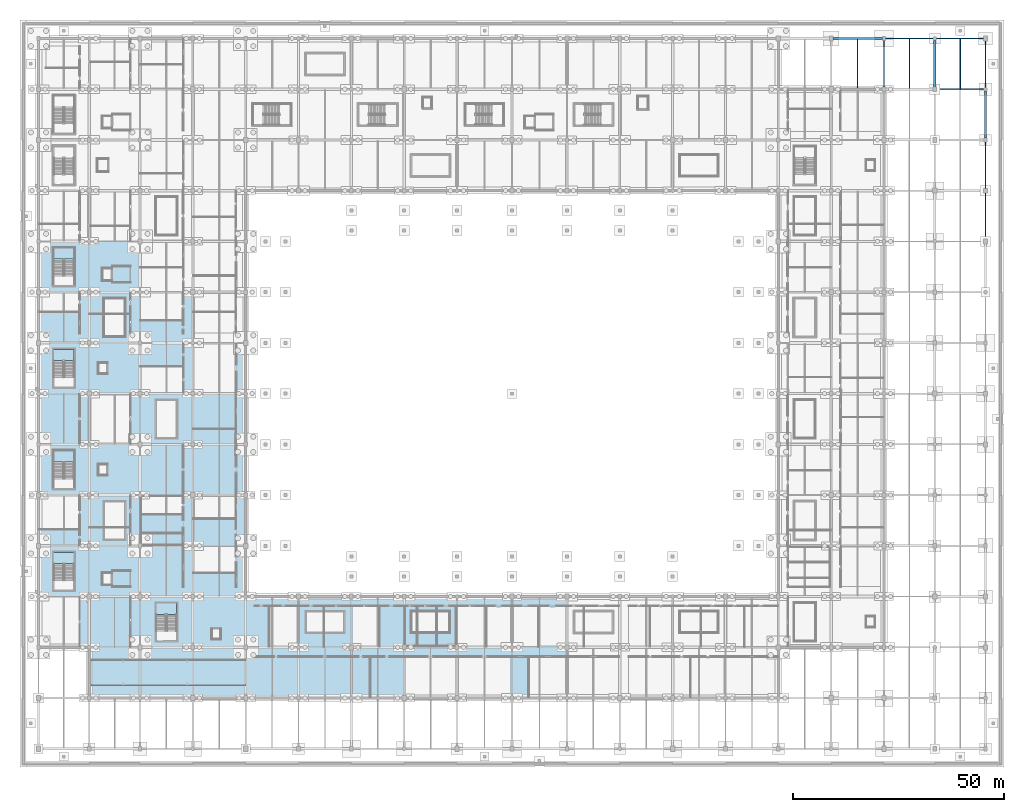
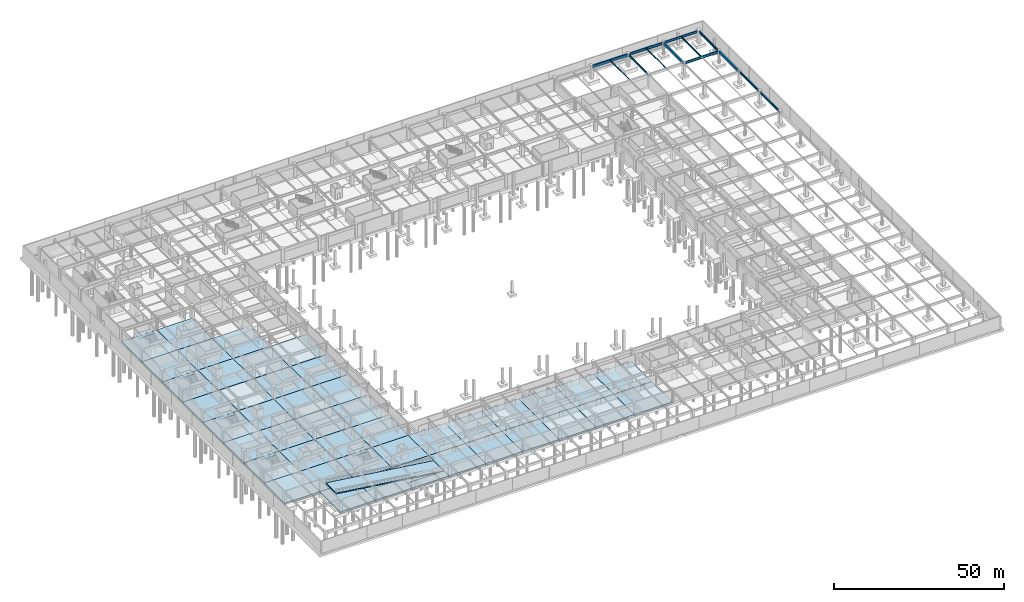
# One storey, part 20 of 56: 52 slabs, 13 beams, 5 elements without a shape of their own.
"""IFC4 building model written with IfcOpenShell, lengths in metres."""

from ifc_helpers import new_model, si_unit, direction, frame, origin, origin_2d, place, context, subcontext, project, spatial, polyline, rectangle, i_section, outline, extrude, material, layer, layer_set, material_profile, profile_set, type_object, element, aggregate, save


model = new_model("IFC4")

# Units and contexts
model_context = context("Model", 3, precision=1e-05, world=origin(), true_north=direction((0.0, 1.0)))
body_context = subcontext(model_context, "Body", "Model", "MODEL_VIEW")
ifc_project = project(units=[si_unit("LENGTHUNIT", "METRE"), si_unit("AREAUNIT", "SQUARE_METRE"), si_unit("VOLUMEUNIT", "CUBIC_METRE"), si_unit("PLANEANGLEUNIT", "RADIAN"), si_unit("MASSUNIT", "GRAM", prefix="KILO")], contexts=[model_context])

# Site, building, storey
site_placement = place(None, origin())
site = spatial("IfcSite", under=ifc_project, at=site_placement, CompositionType="ELEMENT")
building_placement = place(site_placement, origin())
building = spatial("IfcBuilding", under=site, at=building_placement, Name="Kazenohara Klinker Stadium", CompositionType="ELEMENT")
storey_placement = place(building_placement, frame((0.0, 0.0, -4.800048828125)))
storey = spatial("IfcBuildingStorey", under=building, at=storey_placement, Name="B01", CompositionType="ELEMENT", Elevation=-4.800048828125)

# Beams
ifc_material_1 = material(Name="Steel S355", Category="steel")
ifc_material_profile_1 = material_profile(ifc_material_1, i_section(OverallWidth=0.199951171875, OverallDepth=0.5, WebThickness=0.010009765625, FlangeThickness=0.01611328125, FilletRadius=0.012939453125, at=origin_2d()), Name="H-500x200x10x16")
ifc_profile_set_1 = profile_set([ifc_material_profile_1], Name="Steel S355")
beam_type_1 = type_object("IfcBeamType", Name="BM-JST01", PredefinedType="JOIST", material=ifc_profile_set_1)
beam_1_placement = place(storey_placement, frame((218.0, 156.14990234375, 4.2099609375), z_axis=(0.0, 1.0, 0.0), x_axis=(-1.0, 0.0, 0.0)))
element("IfcBeam", 1, at=beam_1_placement, inside=storey, type_object=beam_type_1, Name="Secondary floor joist SJ01 B01 18/P", PredefinedType="JOIST", context=body_context, shape_type="SweptSolid", body=[
    extrude(i_section(OverallWidth=0.199951171875, OverallDepth=0.5, WebThickness=0.010009765625, FlangeThickness=0.01611328125, FilletRadius=0.012939453125, at=origin_2d()), origin(), (0.0, 0.0, 1.0), 11.7001953125),
])
ifc_material_profile_2 = material_profile(ifc_material_1, i_section(OverallWidth=0.175048828125, OverallDepth=0.35009765625, WebThickness=0.007080078125, FlangeThickness=0.010986328125, FilletRadius=0.012939453125, at=origin_2d()), Name="H-350x175x7x11")
ifc_profile_set_2 = profile_set([ifc_material_profile_2], Name="Steel S355")
beam_type_2 = type_object("IfcBeamType", Name="BM-JST04", PredefinedType="JOIST", material=ifc_profile_set_2)
beam_2_placement = place(storey_placement, frame((193.75, 156.300048828125, 4.28515625), z_axis=(0.0, 1.0, 0.0), x_axis=(-1.0, 0.0, 0.0)))
element("IfcBeam", 2, at=beam_2_placement, inside=storey, type_object=beam_type_2, Name="Secondary floor joist SJ04 B01 16/P", PredefinedType="JOIST", context=body_context, shape_type="SweptSolid", body=[
    extrude(i_section(OverallWidth=0.175048828125, OverallDepth=0.35009765625, WebThickness=0.007080078125, FlangeThickness=0.010986328125, FilletRadius=0.012939453125, at=origin_2d()), origin(), (0.0, 0.0, 1.0), 11.449951171875),
])
ifc_material_profile_3 = material_profile(ifc_material_1, i_section(OverallWidth=0.14990234375, OverallDepth=0.300048828125, WebThickness=0.006591796875, FlangeThickness=0.009033203125, FilletRadius=0.012939453125, at=origin_2d()), Name="H-300x150x6.5x9")
ifc_profile_set_3 = profile_set([ifc_material_profile_3], Name="Steel S355")
beam_type_3 = type_object("IfcBeamType", Name="BM-JST05", PredefinedType="JOIST", material=ifc_profile_set_3)
beam_3_placement = place(storey_placement, frame((206.0, 156.25, 4.31005859375), z_axis=(0.0, 1.0, 0.0), x_axis=(-1.0, 0.0, 0.0)))
element("IfcBeam", 3, at=beam_3_placement, inside=storey, type_object=beam_type_3, Name="Secondary floor joist SJ05 B01 17/P", PredefinedType="JOIST", context=body_context, shape_type="SweptSolid", body=[
    extrude(i_section(OverallWidth=0.14990234375, OverallDepth=0.300048828125, WebThickness=0.006591796875, FlangeThickness=0.009033203125, FilletRadius=0.012939453125, at=origin_2d()), origin(), (0.0, 0.0, 1.0), 11.60009765625),
])
ifc_material_2 = material(Name="Concrete C40/50", Category="concrete")
ifc_material_profile_4 = material_profile(ifc_material_2, rectangle(XDim=0.5, YDim=0.89990234375, at=origin_2d()), Name="RC-BM-500x900")
ifc_profile_set_4 = profile_set([ifc_material_profile_4], Name="Concrete C40/50")
beam_type_4 = type_object("IfcBeamType", Name="BM-RC02", PredefinedType="BEAM", material=ifc_profile_set_4)
beam_4_placement = place(storey_placement, frame((187.919921875, 168.0, 4.010009765625), z_axis=(1.0, 0.0, 0.0), x_axis=(0.0, 1.0, 0.0)))
element("IfcBeam", 4, at=beam_4_placement, inside=storey, type_object=beam_type_4, Name="Primary girder BG02 B01 16-17/Q", PredefinedType="BEAM", context=body_context, shape_type="SweptSolid", body=[
    extrude(rectangle(XDim=0.5, YDim=0.89990234375, at=origin_2d()), origin(), (0.0, 0.0, 1.0), 11.68017578125),
])
for number, where, z_axis, x_axis, name in (
    (5, (212.0, 156.419921875, 4.010009765625), (0.0, 1.0, 0.0), (-1.0, 0.0, 0.0), "Primary girder BG02 B01 18/P-Q"),
    (6, (224.0, 144.419921875, 4.010009765625), (0.0, 1.0, 0.0), (-1.0, 0.0, 0.0), "Primary girder BG02 B01 19/N-P"),
):
    element("IfcBeam", number, at=place(storey_placement, frame(where, z_axis=z_axis, x_axis=x_axis)), inside=storey, type_object=beam_type_4, Name=name, PredefinedType="BEAM", context=body_context, shape_type="SweptSolid", body=[
        extrude(rectangle(XDim=0.5, YDim=0.89990234375, at=origin_2d()), origin(), (0.0, 0.0, 1.0), 11.16015625),
    ])
ifc_material_profile_5 = material_profile(ifc_material_1, i_section(OverallWidth=0.300048828125, OverallDepth=0.89990234375, WebThickness=0.01611328125, FlangeThickness=0.028076171875, FilletRadius=0.02197265625, at=origin_2d()), Name="H-900x300x16x28")
ifc_profile_set_5 = profile_set([ifc_material_profile_5], Name="Steel S355")
beam_type_5 = type_object("IfcBeamType", Name="BM-ST01", PredefinedType="BEAM", material=ifc_profile_set_5)
for number, where, z_axis, x_axis, name in (
    (7, (200.39990234375, 168.0, 4.010009765625), (1.0, 0.0, 0.0), (0.0, 1.0, 0.0), "Primary girder SB01 B01 17-18/Q"),
    (8, (212.39990234375, 156.0, 4.010009765625), (1.0, 0.0, 0.0), (0.0, 1.0, 0.0), "Primary girder SB01 B01 18-19/P"),
):
    element("IfcBeam", number, at=place(storey_placement, frame(where, z_axis=z_axis, x_axis=x_axis)), inside=storey, type_object=beam_type_5, Name=name, PredefinedType="BEAM", context=body_context, shape_type="SweptSolid", body=[
        extrude(i_section(OverallWidth=0.300048828125, OverallDepth=0.89990234375, WebThickness=0.01611328125, FlangeThickness=0.028076171875, FilletRadius=0.02197265625, at=origin_2d()), origin(), (0.0, 0.0, 1.0), 11.18017578125),
    ])
ifc_material_profile_6 = material_profile(ifc_material_1, i_section(OverallWidth=0.300048828125, OverallDepth=0.800048828125, WebThickness=0.013916015625, FlangeThickness=0.02587890625, FilletRadius=0.02197265625, at=origin_2d()), Name="H-800x300x14x26")
ifc_profile_set_6 = profile_set([ifc_material_profile_6], Name="Steel S355")
beam_type_6 = type_object("IfcBeamType", Name="BM-ST02", PredefinedType="BEAM", material=ifc_profile_set_6)
for number, where, z_axis, x_axis, name in (
    (9, (212.419921875, 168.0, 4.06005859375), (1.0, 0.0, 0.0), (0.0, 1.0, 0.0), "Primary girder SB02 B01 18-19/Q"),
    (10, (224.0, 120.419921875, 4.06005859375), (0.0, 1.0, 0.0), (-1.0, 0.0, 0.0), "Primary girder SB02 B01 19/L-M"),
    (11, (224.0, 156.419921875, 4.06005859375), (0.0, 1.0, 0.0), (-1.0, 0.0, 0.0), "Primary girder SB02 B01 19/P-Q"),
):
    element("IfcBeam", number, at=place(storey_placement, frame(where, z_axis=z_axis, x_axis=x_axis)), inside=storey, type_object=beam_type_6, Name=name, PredefinedType="BEAM", context=body_context, shape_type="SweptSolid", body=[
        extrude(i_section(OverallWidth=0.300048828125, OverallDepth=0.800048828125, WebThickness=0.013916015625, FlangeThickness=0.02587890625, FilletRadius=0.02197265625, at=origin_2d()), origin(), (0.0, 0.0, 1.0), 11.16015625),
    ])
ifc_material_profile_7 = material_profile(ifc_material_1, i_section(OverallWidth=0.300048828125, OverallDepth=0.699951171875, WebThickness=0.012939453125, FlangeThickness=0.02392578125, FilletRadius=0.02197265625, at=origin_2d()), Name="H-700x300x13x24")
ifc_profile_set_7 = profile_set([ifc_material_profile_7], Name="Steel S355")
beam_type_7 = type_object("IfcBeamType", Name="BM-ST03", PredefinedType="BEAM", material=ifc_profile_set_7)
for number, where, z_axis, x_axis, name in (
    (12, (200.0, 156.419921875, 4.110107421875), (0.0, 1.0, 0.0), (-1.0, 0.0, 0.0), "Primary girder SB03 B01 17/P-Q"),
    (13, (224.0, 132.419921875, 4.110107421875), (0.0, 1.0, 0.0), (-1.0, 0.0, 0.0), "Primary girder SB03 B01 19/M-N"),
):
    element("IfcBeam", number, at=place(storey_placement, frame(where, z_axis=z_axis, x_axis=x_axis)), inside=storey, type_object=beam_type_7, Name=name, PredefinedType="BEAM", context=body_context, shape_type="SweptSolid", body=[
        extrude(i_section(OverallWidth=0.300048828125, OverallDepth=0.699951171875, WebThickness=0.012939453125, FlangeThickness=0.02392578125, FilletRadius=0.02197265625, at=origin_2d()), origin(), (0.0, 0.0, 1.0), 11.16015625),
    ])

# Slabs
ifc_material_3 = material(Name="Concrete C35/45", Category="concrete")
ifc_layer_1 = layer(ifc_material_3, 0.580078125)
ifc_layer_set_1 = layer_set([ifc_layer_1], Name="Concrete C35/45")
slab_type_1 = type_object("IfcSlabType", Name="SLB-BASE-580", PredefinedType="BASESLAB", material=ifc_layer_set_1)
slab_1_placement = place(storey_placement, frame((0.0, 0.0, -0.579833984375)))
element("IfcSlab", 14, at=slab_1_placement, inside=storey, type_object=slab_type_1, Name="Basement base slab BS02 1/D", PredefinedType="BASESLAB", context=body_context, shape_type="SweptSolid", body=[
    extrude(outline(polyline([(0.0, 36.0), (12.0, 36.0), (12.0, 48.0), (0.0, 48.0), (0.0, 36.0)])), origin(), (0.0, 0.0, 1.0), 0.579833984375),
])
slab_2_placement = place(storey_placement, frame((0.0, 0.0, -0.579833984375)))
element("IfcSlab", 15, at=slab_2_placement, inside=storey, type_object=slab_type_1, Name="Basement base slab BS02 1/F", PredefinedType="BASESLAB", context=body_context, shape_type="SweptSolid", body=[
    extrude(outline(polyline([(0.0, 60.0), (12.0, 60.0), (12.0, 72.0), (0.0, 72.0), (0.0, 60.0)])), origin(), (0.0, 0.0, 1.0), 0.579833984375),
])
slab_3_placement = place(storey_placement, frame((0.0, 0.0, -0.579833984375)))
element("IfcSlab", 16, at=slab_3_placement, inside=storey, type_object=slab_type_1, Name="Basement base slab BS02 1/H", PredefinedType="BASESLAB", context=body_context, shape_type="SweptSolid", body=[
    extrude(outline(polyline([(0.0, 84.0), (12.0, 84.0), (12.0, 96.0), (0.0, 96.0), (0.0, 84.0)])), origin(), (0.0, 0.0, 1.0), 0.579833984375),
])
slab_4_placement = place(storey_placement, frame((0.0, 0.0, -0.579833984375)))
element("IfcSlab", 17, at=slab_4_placement, inside=storey, type_object=slab_type_1, Name="Basement base slab BS02 1/K", PredefinedType="BASESLAB", context=body_context, shape_type="SweptSolid", body=[
    extrude(outline(polyline([(0.0, 108.0), (12.0, 108.0), (12.0, 120.0), (0.0, 120.0), (0.0, 108.0)])), origin(), (0.0, 0.0, 1.0), 0.579833984375),
])
slab_5_placement = place(storey_placement, frame((0.0, 0.0, -0.579833984375)))
element("IfcSlab", 18, at=slab_5_placement, inside=storey, type_object=slab_type_1, Name="Basement base slab BS02 2/C", PredefinedType="BASESLAB", context=body_context, shape_type="SweptSolid", body=[
    extrude(outline(polyline([(12.0, 24.0), (24.0, 24.0), (24.0, 36.0), (12.0, 36.0), (12.0, 24.0)])), origin(), (0.0, 0.0, 1.0), 0.579833984375),
])
slab_6_placement = place(storey_placement, frame((0.0, 0.0, -0.579833984375)))
element("IfcSlab", 19, at=slab_6_placement, inside=storey, type_object=slab_type_1, Name="Basement base slab BS02 2/E", PredefinedType="BASESLAB", context=body_context, shape_type="SweptSolid", body=[
    extrude(outline(polyline([(12.0, 48.0), (24.0, 48.0), (24.0, 60.0), (12.0, 60.0), (12.0, 48.0)])), origin(), (0.0, 0.0, 1.0), 0.579833984375),
])
slab_7_placement = place(storey_placement, frame((0.0, 0.0, -0.579833984375)))
element("IfcSlab", 20, at=slab_7_placement, inside=storey, type_object=slab_type_1, Name="Basement base slab BS02 2/G", PredefinedType="BASESLAB", context=body_context, shape_type="SweptSolid", body=[
    extrude(outline(polyline([(12.0, 72.0), (24.0, 72.0), (24.0, 84.0), (12.0, 84.0), (12.0, 72.0)])), origin(), (0.0, 0.0, 1.0), 0.579833984375),
])
slab_8_placement = place(storey_placement, frame((0.0, 0.0, -0.579833984375)))
element("IfcSlab", 21, at=slab_8_placement, inside=storey, type_object=slab_type_1, Name="Basement base slab BS02 2/J", PredefinedType="BASESLAB", context=body_context, shape_type="SweptSolid", body=[
    extrude(outline(polyline([(12.0, 96.0), (24.0, 96.0), (24.0, 108.0), (12.0, 108.0), (12.0, 96.0)])), origin(), (0.0, 0.0, 1.0), 0.579833984375),
])
slab_9_placement = place(storey_placement, frame((0.0, 0.0, -0.579833984375)))
element("IfcSlab", 22, at=slab_9_placement, inside=storey, type_object=slab_type_1, Name="Basement base slab BS02 3/B", PredefinedType="BASESLAB", context=body_context, shape_type="SweptSolid", body=[
    extrude(outline(polyline([(24.0, 12.0), (36.5, 12.0), (36.5, 24.0), (24.0, 24.0), (24.0, 12.0)])), origin(), (0.0, 0.0, 1.0), 0.579833984375),
])
slab_10_placement = place(storey_placement, frame((0.0, 0.0, -0.579833984375)))
element("IfcSlab", 23, at=slab_10_placement, inside=storey, type_object=slab_type_1, Name="Basement base slab BS02 3/D", PredefinedType="BASESLAB", context=body_context, shape_type="SweptSolid", body=[
    extrude(outline(polyline([(24.0, 36.0), (36.5, 36.0), (36.5, 48.0), (24.0, 48.0), (24.0, 36.0)])), origin(), (0.0, 0.0, 1.0), 0.579833984375),
])
slab_11_placement = place(storey_placement, frame((0.0, 0.0, -0.579833984375)))
element("IfcSlab", 24, at=slab_11_placement, inside=storey, type_object=slab_type_1, Name="Basement base slab BS02 3/F", PredefinedType="BASESLAB", context=body_context, shape_type="SweptSolid", body=[
    extrude(outline(polyline([(24.0, 60.0), (36.5, 60.0), (36.5, 72.0), (24.0, 72.0), (24.0, 60.0)])), origin(), (0.0, 0.0, 1.0), 0.579833984375),
])
slab_12_placement = place(storey_placement, frame((0.0, 0.0, -0.579833984375)))
element("IfcSlab", 25, at=slab_12_placement, inside=storey, type_object=slab_type_1, Name="Basement base slab BS02 3/H", PredefinedType="BASESLAB", context=body_context, shape_type="SweptSolid", body=[
    extrude(outline(polyline([(24.0, 84.0), (36.5, 84.0), (36.5, 96.0), (24.0, 96.0), (24.0, 84.0)])), origin(), (0.0, 0.0, 1.0), 0.579833984375),
])
slab_13_placement = place(storey_placement, frame((0.0, 0.0, -0.579833984375)))
element("IfcSlab", 26, at=slab_13_placement, inside=storey, type_object=slab_type_1, Name="Basement base slab BS02 4/C", PredefinedType="BASESLAB", context=body_context, shape_type="SweptSolid", body=[
    extrude(outline(polyline([(36.5, 24.0), (49.0, 24.0), (49.0, 36.0), (36.5, 36.0), (36.5, 24.0)])), origin(), (0.0, 0.0, 1.0), 0.579833984375),
])
slab_14_placement = place(storey_placement, frame((0.0, 0.0, -0.579833984375)))
element("IfcSlab", 27, at=slab_14_placement, inside=storey, type_object=slab_type_1, Name="Basement base slab BS02 4/E", PredefinedType="BASESLAB", context=body_context, shape_type="SweptSolid", body=[
    extrude(outline(polyline([(36.5, 48.0), (49.0, 48.0), (49.0, 60.0), (36.5, 60.0), (36.5, 48.0)])), origin(), (0.0, 0.0, 1.0), 0.579833984375),
])
slab_15_placement = place(storey_placement, frame((0.0, 0.0, -0.579833984375)))
element("IfcSlab", 28, at=slab_15_placement, inside=storey, type_object=slab_type_1, Name="Basement base slab BS02 4/G", PredefinedType="BASESLAB", context=body_context, shape_type="SweptSolid", body=[
    extrude(outline(polyline([(36.5, 72.0), (49.0, 72.0), (49.0, 84.0), (36.5, 84.0), (36.5, 72.0)])), origin(), (0.0, 0.0, 1.0), 0.579833984375),
])
slab_16_placement = place(storey_placement, frame((0.0, 0.0, -0.579833984375)))
element("IfcSlab", 29, at=slab_16_placement, inside=storey, type_object=slab_type_1, Name="Basement base slab BS02 5/B", PredefinedType="BASESLAB", context=body_context, shape_type="SweptSolid", body=[
    extrude(outline(polyline([(49.0, 12.0), (61.5, 12.0), (61.5, 24.0), (49.0, 24.0), (49.0, 12.0)])), origin(), (0.0, 0.0, 1.0), 0.579833984375),
])
slab_17_placement = place(storey_placement, frame((0.0, 0.0, -0.579833984375)))
element("IfcSlab", 30, at=slab_17_placement, inside=storey, type_object=slab_type_1, Name="Basement base slab BS02 6/C", PredefinedType="BASESLAB", context=body_context, shape_type="SweptSolid", body=[
    extrude(outline(polyline([(61.5, 24.0), (74.0, 24.0), (74.0, 36.0), (61.5, 36.0), (61.5, 24.0)])), origin(), (0.0, 0.0, 1.0), 0.579833984375),
])
slab_18_placement = place(storey_placement, frame((0.0, 0.0, -0.579833984375)))
element("IfcSlab", 31, at=slab_18_placement, inside=storey, type_object=slab_type_1, Name="Basement base slab BS02 7/B", PredefinedType="BASESLAB", context=body_context, shape_type="SweptSolid", body=[
    extrude(outline(polyline([(74.0, 12.0), (86.5, 12.0), (86.5, 24.0), (74.0, 24.0), (74.0, 12.0)])), origin(), (0.0, 0.0, 1.0), 0.579833984375),
])
slab_19_placement = place(storey_placement, frame((0.0, 0.0, -0.579833984375)))
element("IfcSlab", 32, at=slab_19_placement, inside=storey, type_object=slab_type_1, Name="Basement base slab BS02 8/C", PredefinedType="BASESLAB", context=body_context, shape_type="SweptSolid", body=[
    extrude(outline(polyline([(86.5, 24.0), (99.0, 24.0), (99.0, 36.0), (86.5, 36.0), (86.5, 24.0)])), origin(), (0.0, 0.0, 1.0), 0.579833984375),
])
slab_20_placement = place(storey_placement, frame((0.0, 0.0, -0.579833984375)))
element("IfcSlab", 33, at=slab_20_placement, inside=storey, type_object=slab_type_1, Name="Basement base slab BS02 9/B", PredefinedType="BASESLAB", context=body_context, shape_type="SweptSolid", body=[
    extrude(outline(polyline([(99.0, 12.0), (112.0, 12.0), (112.0, 24.0), (99.0, 24.0), (99.0, 12.0)])), origin(), (0.0, 0.0, 1.0), 0.579833984375),
])
slab_21_placement = place(storey_placement, frame((0.0, 0.0, -0.579833984375)))
element("IfcSlab", 34, at=slab_21_placement, inside=storey, type_object=slab_type_1, Name="Basement base slab BS02 10/C", PredefinedType="BASESLAB", context=body_context, shape_type="SweptSolid", body=[
    extrude(outline(polyline([(112.0, 24.0), (125.0, 24.0), (125.0, 36.0), (112.0, 36.0), (112.0, 24.0)])), origin(), (0.0, 0.0, 1.0), 0.579833984375),
])
ifc_layer_2 = layer(ifc_material_3, 0.64990234375)
ifc_layer_set_2 = layer_set([ifc_layer_2], Name="Concrete C35/45")
slab_type_2 = type_object("IfcSlabType", Name="SLB-BASE-650", PredefinedType="BASESLAB", material=ifc_layer_set_2)
slab_22_placement = place(storey_placement, frame((0.0, 0.0, -0.64990234375)))
element("IfcSlab", 35, at=slab_22_placement, inside=storey, type_object=slab_type_2, Name="Basement base slab BS01 1/C", PredefinedType="BASESLAB", context=body_context, shape_type="SweptSolid", body=[
    extrude(outline(polyline([(0.0, 24.0), (12.0, 24.0), (12.0, 34.199951171875), (10.199951171875, 36.0), (0.0, 36.0), (0.0, 24.0)])), origin(), (0.0, 0.0, 1.0), 0.64990234375),
])
slab_23_placement = place(storey_placement, frame((0.0, 0.0, -0.64990234375)))
element("IfcSlab", 36, at=slab_23_placement, inside=storey, type_object=slab_type_2, Name="Basement base slab BS01 1/E", PredefinedType="BASESLAB", context=body_context, shape_type="SweptSolid", body=[
    extrude(outline(polyline([(0.0, 48.0), (12.0, 48.0), (12.0, 60.0), (0.0, 60.0), (0.0, 48.0)])), origin(), (0.0, 0.0, 1.0), 0.64990234375),
])
slab_24_placement = place(storey_placement, frame((0.0, 0.0, -0.64990234375)))
element("IfcSlab", 37, at=slab_24_placement, inside=storey, type_object=slab_type_2, Name="Basement base slab BS01 1/G", PredefinedType="BASESLAB", context=body_context, shape_type="SweptSolid", body=[
    extrude(outline(polyline([(0.0, 72.0), (12.0, 72.0), (12.0, 84.0), (0.0, 84.0), (0.0, 72.0)])), origin(), (0.0, 0.0, 1.0), 0.64990234375),
])
slab_25_placement = place(storey_placement, frame((0.0, 0.0, -0.64990234375)))
element("IfcSlab", 38, at=slab_25_placement, inside=storey, type_object=slab_type_2, Name="Basement base slab BS01 1/J", PredefinedType="BASESLAB", context=body_context, shape_type="SweptSolid", body=[
    extrude(outline(polyline([(0.0, 96.0), (12.0, 96.0), (12.0, 108.0), (0.0, 108.0), (0.0, 96.0)])), origin(), (0.0, 0.0, 1.0), 0.64990234375),
])
slab_26_placement = place(storey_placement, frame((0.0, 0.0, -0.64990234375)))
element("IfcSlab", 39, at=slab_26_placement, inside=storey, type_object=slab_type_2, Name="Basement base slab BS01 2/B", PredefinedType="BASESLAB", context=body_context, shape_type="SweptSolid", body=[
    extrude(outline(polyline([(12.0, 12.0), (24.0, 12.0), (24.0, 24.0), (12.0, 24.0), (12.0, 12.0)])), origin(), (0.0, 0.0, 1.0), 0.64990234375),
])
slab_27_placement = place(storey_placement, frame((0.0, 0.0, -0.64990234375)))
element("IfcSlab", 40, at=slab_27_placement, inside=storey, type_object=slab_type_2, Name="Basement base slab BS01 2/D", PredefinedType="BASESLAB", context=body_context, shape_type="SweptSolid", body=[
    extrude(outline(polyline([(12.0, 36.0), (24.0, 36.0), (24.0, 48.0), (12.0, 48.0), (12.0, 36.0)])), origin(), (0.0, 0.0, 1.0), 0.64990234375),
])
slab_28_placement = place(storey_placement, frame((0.0, 0.0, -0.64990234375)))
element("IfcSlab", 41, at=slab_28_placement, inside=storey, type_object=slab_type_2, Name="Basement base slab BS01 2/F", PredefinedType="BASESLAB", context=body_context, shape_type="SweptSolid", body=[
    extrude(outline(polyline([(12.0, 60.0), (24.0, 60.0), (24.0, 72.0), (12.0, 72.0), (12.0, 60.0)])), origin(), (0.0, 0.0, 1.0), 0.64990234375),
])
slab_29_placement = place(storey_placement, frame((0.0, 0.0, -0.64990234375)))
element("IfcSlab", 42, at=slab_29_placement, inside=storey, type_object=slab_type_2, Name="Basement base slab BS01 2/H", PredefinedType="BASESLAB", context=body_context, shape_type="SweptSolid", body=[
    extrude(outline(polyline([(12.0, 84.0), (24.0, 84.0), (24.0, 96.0), (12.0, 96.0), (12.0, 84.0)])), origin(), (0.0, 0.0, 1.0), 0.64990234375),
])
slab_30_placement = place(storey_placement, frame((0.0, 0.0, -0.64990234375)))
element("IfcSlab", 43, at=slab_30_placement, inside=storey, type_object=slab_type_2, Name="Basement base slab BS01 2/K", PredefinedType="BASESLAB", context=body_context, shape_type="SweptSolid", body=[
    extrude(outline(polyline([(12.0, 108.0), (24.0, 108.0), (24.0, 120.0), (12.0, 120.0), (12.0, 108.0)])), origin(), (0.0, 0.0, 1.0), 0.64990234375),
])
slab_31_placement = place(storey_placement, frame((0.0, 0.0, -0.64990234375)))
element("IfcSlab", 44, at=slab_31_placement, inside=storey, type_object=slab_type_2, Name="Basement base slab BS01 3/C", PredefinedType="BASESLAB", context=body_context, shape_type="SweptSolid", body=[
    extrude(outline(polyline([(24.0, 24.0), (36.5, 24.0), (36.5, 36.0), (24.0, 36.0), (24.0, 24.0)])), origin(), (0.0, 0.0, 1.0), 0.64990234375),
])
slab_32_placement = place(storey_placement, frame((0.0, 0.0, -0.64990234375)))
element("IfcSlab", 45, at=slab_32_placement, inside=storey, type_object=slab_type_2, Name="Basement base slab BS01 3/E", PredefinedType="BASESLAB", context=body_context, shape_type="SweptSolid", body=[
    extrude(outline(polyline([(24.0, 48.0), (36.5, 48.0), (36.5, 60.0), (24.0, 60.0), (24.0, 48.0)])), origin(), (0.0, 0.0, 1.0), 0.64990234375),
])
slab_33_placement = place(storey_placement, frame((0.0, 0.0, -0.64990234375)))
element("IfcSlab", 46, at=slab_33_placement, inside=storey, type_object=slab_type_2, Name="Basement base slab BS01 3/G", PredefinedType="BASESLAB", context=body_context, shape_type="SweptSolid", body=[
    extrude(outline(polyline([(24.0, 72.0), (36.5, 72.0), (36.5, 84.0), (24.0, 84.0), (24.0, 72.0)])), origin(), (0.0, 0.0, 1.0), 0.64990234375),
])
slab_34_placement = place(storey_placement, frame((0.0, 0.0, -0.64990234375)))
element("IfcSlab", 47, at=slab_34_placement, inside=storey, type_object=slab_type_2, Name="Basement base slab BS01 3/J", PredefinedType="BASESLAB", context=body_context, shape_type="SweptSolid", body=[
    extrude(outline(polyline([(24.0, 96.0), (36.5, 96.0), (36.5, 108.0), (24.0, 108.0), (24.0, 96.0)])), origin(), (0.0, 0.0, 1.0), 0.64990234375),
])
slab_35_placement = place(storey_placement, frame((0.0, 0.0, -0.64990234375)))
element("IfcSlab", 48, at=slab_35_placement, inside=storey, type_object=slab_type_2, Name="Basement base slab BS01 4/B S", PredefinedType="BASESLAB", context=body_context, shape_type="SweptSolid", body=[
    extrude(outline(polyline([(36.5, 12.0), (49.0, 12.0), (49.0, 14.909912109375), (36.5, 14.909912109375), (36.5, 12.0)])), origin(), (0.0, 0.0, 1.0), 0.64990234375),
])
slab_36_placement = place(storey_placement, frame((0.0, 0.0, -0.949951171875)))
element("IfcSlab", 49, at=slab_36_placement, inside=storey, type_object=slab_type_2, Name="Basement base slab BS01 4/B M", PredefinedType="BASESLAB", context=body_context, shape_type="SweptSolid", body=[
    extrude(outline(polyline([(36.5, 14.929931640625), (49.0, 14.929931640625), (49.0, 21.070068359375), (36.5, 21.070068359375), (36.5, 14.929931640625)])), origin(), (0.0, 0.0, 1.0), 0.64990234375),
])
slab_37_placement = place(storey_placement, frame((0.0, 0.0, -0.64990234375)))
element("IfcSlab", 50, at=slab_37_placement, inside=storey, type_object=slab_type_2, Name="Basement base slab BS01 4/B N", PredefinedType="BASESLAB", context=body_context, shape_type="SweptSolid", body=[
    extrude(outline(polyline([(36.5, 21.090087890625), (49.0, 21.090087890625), (49.0, 24.0), (36.5, 24.0), (36.5, 21.090087890625)])), origin(), (0.0, 0.0, 1.0), 0.64990234375),
])
slab_38_placement = place(storey_placement, frame((0.0, 0.0, -0.64990234375)))
element("IfcSlab", 51, at=slab_38_placement, inside=storey, type_object=slab_type_2, Name="Basement base slab BS01 4/D", PredefinedType="BASESLAB", context=body_context, shape_type="SweptSolid", body=[
    extrude(outline(polyline([(36.5, 36.0), (49.0, 36.0), (49.0, 48.0), (36.5, 48.0), (36.5, 36.0)])), origin(), (0.0, 0.0, 1.0), 0.64990234375),
])
slab_39_placement = place(storey_placement, frame((0.0, 0.0, -0.64990234375)))
element("IfcSlab", 52, at=slab_39_placement, inside=storey, type_object=slab_type_2, Name="Basement base slab BS01 4/F", PredefinedType="BASESLAB", context=body_context, shape_type="SweptSolid", body=[
    extrude(outline(polyline([(36.5, 60.0), (49.0, 60.0), (49.0, 72.0), (36.5, 72.0), (36.5, 60.0)])), origin(), (0.0, 0.0, 1.0), 0.64990234375),
])
slab_40_placement = place(storey_placement, frame((0.0, 0.0, -0.64990234375)))
element("IfcSlab", 53, at=slab_40_placement, inside=storey, type_object=slab_type_2, Name="Basement base slab BS01 4/H", PredefinedType="BASESLAB", context=body_context, shape_type="SweptSolid", body=[
    extrude(outline(polyline([(36.5, 84.0), (49.0, 84.0), (49.0, 96.0), (36.5, 96.0), (36.5, 84.0)])), origin(), (0.0, 0.0, 1.0), 0.64990234375),
])
slab_41_placement = place(storey_placement, frame((0.0, 0.0, -0.64990234375)))
element("IfcSlab", 54, at=slab_41_placement, inside=storey, type_object=slab_type_2, Name="Basement base slab BS01 5/C", PredefinedType="BASESLAB", context=body_context, shape_type="SweptSolid", body=[
    extrude(outline(polyline([(49.0, 24.0), (61.5, 24.0), (61.5, 36.0), (49.0, 36.0), (49.0, 24.0)])), origin(), (0.0, 0.0, 1.0), 0.64990234375),
])
slab_42_placement = place(storey_placement, frame((0.0, 0.0, -0.64990234375)))
element("IfcSlab", 55, at=slab_42_placement, inside=storey, type_object=slab_type_2, Name="Basement base slab BS01 6/B", PredefinedType="BASESLAB", context=body_context, shape_type="SweptSolid", body=[
    extrude(outline(polyline([(61.5, 12.0), (74.0, 12.0), (74.0, 24.0), (61.5, 24.0), (61.5, 12.0)])), origin(), (0.0, 0.0, 1.0), 0.64990234375),
])
slab_43_placement = place(storey_placement, frame((0.0, 0.0, -0.64990234375)))
element("IfcSlab", 56, at=slab_43_placement, inside=storey, type_object=slab_type_2, Name="Basement base slab BS01 7/C", PredefinedType="BASESLAB", context=body_context, shape_type="SweptSolid", body=[
    extrude(outline(polyline([(74.0, 24.0), (86.5, 24.0), (86.5, 36.0), (74.0, 36.0), (74.0, 24.0)])), origin(), (0.0, 0.0, 1.0), 0.64990234375),
])
slab_44_placement = place(storey_placement, frame((0.0, 0.0, -0.64990234375)))
element("IfcSlab", 57, at=slab_44_placement, inside=storey, type_object=slab_type_2, Name="Basement base slab BS01 8/B", PredefinedType="BASESLAB", context=body_context, shape_type="SweptSolid", body=[
    extrude(outline(polyline([(86.5, 12.0), (99.0, 12.0), (99.0, 24.0), (86.5, 24.0), (86.5, 12.0)])), origin(), (0.0, 0.0, 1.0), 0.64990234375),
])
slab_45_placement = place(storey_placement, frame((0.0, 0.0, -0.64990234375)))
element("IfcSlab", 58, at=slab_45_placement, inside=storey, type_object=slab_type_2, Name="Basement base slab BS01 9/C", PredefinedType="BASESLAB", context=body_context, shape_type="SweptSolid", body=[
    extrude(outline(polyline([(99.0, 24.0), (112.0, 24.0), (112.0, 36.0), (99.0, 36.0), (99.0, 24.0)])), origin(), (0.0, 0.0, 1.0), 0.64990234375),
])
slab_46_placement = place(storey_placement, frame((0.0, 0.0, -0.64990234375)))
element("IfcSlab", 59, at=slab_46_placement, inside=storey, type_object=slab_type_2, Name="Basement base slab BS01 10/B", PredefinedType="BASESLAB", context=body_context, shape_type="SweptSolid", body=[
    extrude(outline(polyline([(112.0, 12.0), (125.0, 12.0), (125.0, 24.0), (112.0, 24.0), (112.0, 12.0)])), origin(), (0.0, 0.0, 1.0), 0.64990234375),
])

# Stair, slab
stair_type_1 = type_object("IfcStairType", Name="STR-DL-2300", PredefinedType="HALF_TURN_STAIR", material=ifc_material_2)
stair_1_placement = place(storey_placement, origin())
stair_1 = element("IfcStair", 60, at=stair_1_placement, inside=storey, type_object=stair_type_1, Name="B01 Enclosed escape stair ST01", PredefinedType="HALF_TURN_STAIR")
ifc_layer_3 = layer(ifc_material_2, 0.199951171875)
ifc_layer_set_3 = layer_set([ifc_layer_3], Name="Concrete C40/50")
slab_type_3 = type_object("IfcSlabType", Name="SLB-LND-200", PredefinedType="LANDING", material=ifc_layer_set_3)
slab_47_placement = place(storey_placement, frame((0.0, 0.0, 2.199951171875)))
slab_47 = element("IfcSlab", 61, at=slab_47_placement, type_object=slab_type_3, Name="ST01 landing 1", PredefinedType="LANDING", context=body_context, shape_type="SweptSolid", body=[
    extrude(outline(polyline([(8.39990234375, 43.760009765625), (8.39990234375, 46.4599609375), (3.60009765625, 46.4599609375), (3.60009765625, 43.760009765625), (8.39990234375, 43.760009765625)])), origin(), (0.0, 0.0, 1.0), 0.2001953125),
])
aggregate(stair_1, [slab_47])

stair_type_2 = type_object("IfcStairType", Name="STR-DL-2310", PredefinedType="HALF_TURN_STAIR", material=ifc_material_2)
stair_2_placement = place(storey_placement, origin())
stair_2 = element("IfcStair", 62, at=stair_2_placement, inside=storey, type_object=stair_type_2, Name="B01 Enclosed escape stair ST02", PredefinedType="HALF_TURN_STAIR")
slab_48_placement = place(storey_placement, frame((0.0, 0.0, 2.199951171875)))
slab_48 = element("IfcSlab", 63, at=slab_48_placement, type_object=slab_type_3, Name="ST02 landing 1", PredefinedType="LANDING", context=body_context, shape_type="SweptSolid", body=[
    extrude(outline(polyline([(8.409912109375, 67.77001953125), (8.409912109375, 70.4599609375), (3.590087890625, 70.4599609375), (3.590087890625, 67.77001953125), (8.409912109375, 67.77001953125)])), origin(), (0.0, 0.0, 1.0), 0.2001953125),
])
aggregate(stair_2, [slab_48])

stair_type_3 = type_object("IfcStairType", Name="STR-DL-2330", PredefinedType="HALF_TURN_STAIR", material=ifc_material_2)
stair_3_placement = place(storey_placement, origin())
stair_3 = element("IfcStair", 64, at=stair_3_placement, inside=storey, type_object=stair_type_3, Name="B01 Enclosed escape stair ST03", PredefinedType="HALF_TURN_STAIR")
slab_49_placement = place(storey_placement, frame((0.0, 0.0, 2.199951171875)))
slab_49 = element("IfcSlab", 65, at=slab_49_placement, type_object=slab_type_3, Name="ST03 landing 1", PredefinedType="LANDING", context=body_context, shape_type="SweptSolid", body=[
    extrude(outline(polyline([(8.429931640625, 91.7900390625), (8.429931640625, 94.4599609375), (3.570068359375, 94.4599609375), (3.570068359375, 91.7900390625), (8.429931640625, 91.7900390625)])), origin(), (0.0, 0.0, 1.0), 0.2001953125),
])
aggregate(stair_3, [slab_49])

stair_type_4 = type_object("IfcStairType", Name="STR-DL-2340", PredefinedType="HALF_TURN_STAIR", material=ifc_material_2)
stair_4_placement = place(storey_placement, origin())
stair_4 = element("IfcStair", 66, at=stair_4_placement, inside=storey, type_object=stair_type_4, Name="B01 Enclosed escape stair ST04", PredefinedType="HALF_TURN_STAIR")
slab_50_placement = place(storey_placement, frame((0.0, 0.0, 2.199951171875)))
slab_50 = element("IfcSlab", 67, at=slab_50_placement, type_object=slab_type_3, Name="ST04 landing 1", PredefinedType="LANDING", context=body_context, shape_type="SweptSolid", body=[
    extrude(outline(polyline([(8.43994140625, 115.800048828125), (8.43994140625, 118.4599609375), (3.56005859375, 118.4599609375), (3.56005859375, 115.800048828125), (8.43994140625, 115.800048828125)])), origin(), (0.0, 0.0, 1.0), 0.2001953125),
])
aggregate(stair_4, [slab_50])

stair_5_placement = place(storey_placement, origin())
stair_5 = element("IfcStair", 68, at=stair_5_placement, inside=storey, type_object=stair_type_3, Name="B01 Enclosed escape stair ST07", PredefinedType="HALF_TURN_STAIR")
slab_51_placement = place(storey_placement, frame((0.0, 0.0, 2.199951171875)))
slab_51 = element("IfcSlab", 69, at=slab_51_placement, type_object=slab_type_3, Name="ST07 landing 1", PredefinedType="LANDING", context=body_context, shape_type="SweptSolid", body=[
    extrude(outline(polyline([(32.679931640625, 31.7900390625), (32.679931640625, 34.4599609375), (27.820068359375, 34.4599609375), (27.820068359375, 31.7900390625), (32.679931640625, 31.7900390625)])), origin(), (0.0, 0.0, 1.0), 0.2001953125),
])
aggregate(stair_5, [slab_51])

# Slab
ifc_layer_4 = layer(ifc_material_2, 0.280029296875)
ifc_layer_set_4 = layer_set([ifc_layer_4], Name="Concrete C40/50")
slab_type_4 = type_object("IfcSlabType", Name="SLB-RMP-280", PredefinedType="FLOOR", material=ifc_layer_set_4)
slab_52_placement = place(storey_placement, frame((12.39990234375, 14.949951171875, 4.800048828125), z_axis=(0.130174993162, 0.0, 0.991491034329), x_axis=(0.991491034329, 0.0, -0.130174993162)))
element("IfcSlab", 70, at=slab_52_placement, inside=storey, type_object=slab_type_4, Name="Southwest basement two-way vehicle ramp structural slab RV01", PredefinedType="FLOOR", context=body_context, shape_type="SweptSolid", body=[
    extrude(outline(polyline([(0.0, 0.0), (36.873816633633375, 0.0), (36.873816633633375, 6.10009765625), (0.0, 6.10009765625), (0.0, 0.0)])), origin(), (0.0, 0.0, -1.0), 0.280029296875),
])

save(model, "model.ifc")
